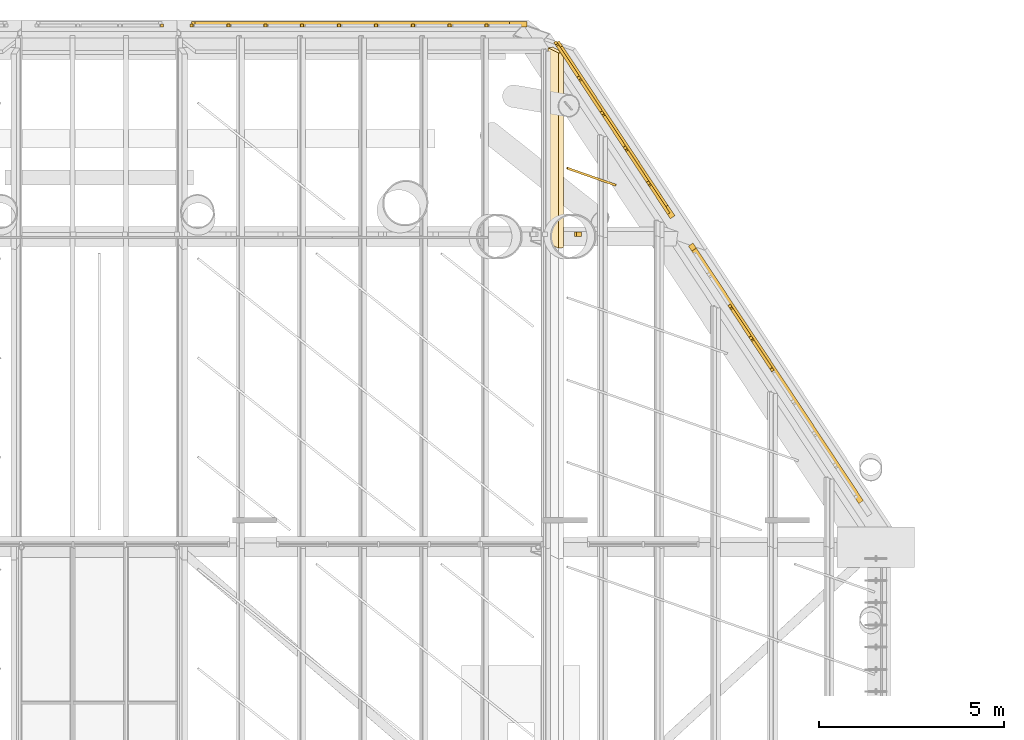
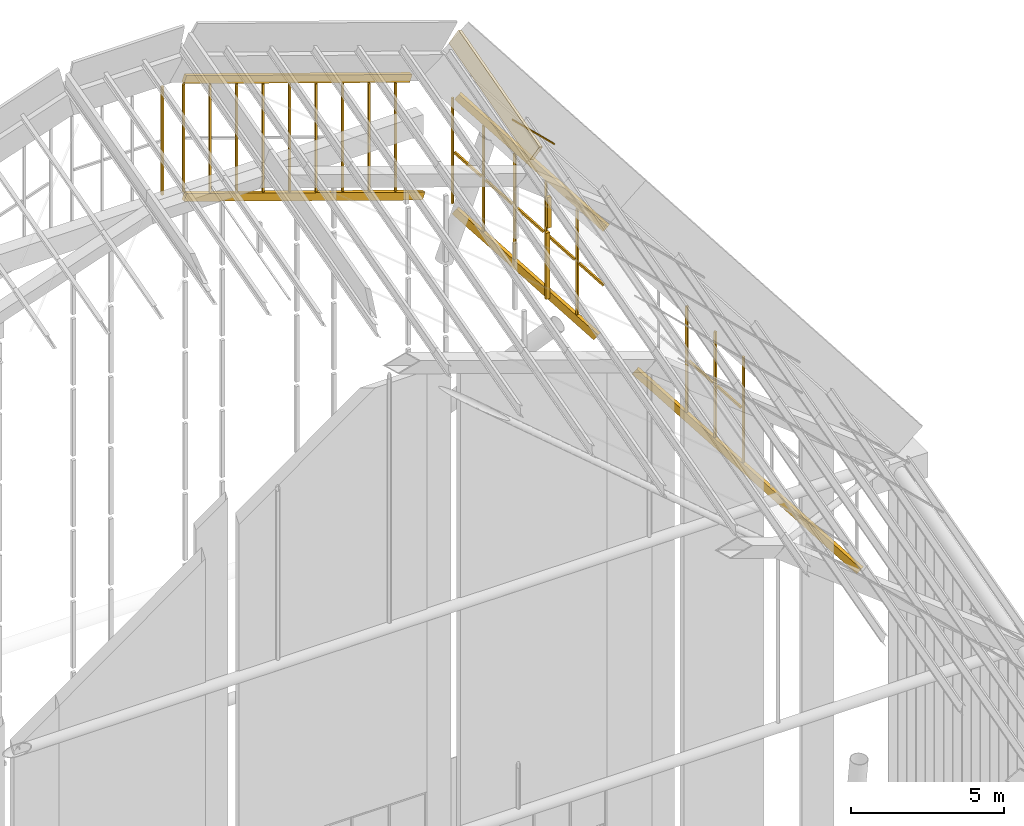
# One storey, part 121 of 126: 34 coverings.
"""IFC4 building model written with IfcOpenShell, lengths in metres."""

from ifc_helpers import new_model, si_unit, direction, frame, origin, origin_2d, place, context, subcontext, project, spatial, polyline, rectangle, outline, extrude, material, layer, layer_set, material_profile, profile_set, type_object, element, save


model = new_model("IFC4")

# Units and contexts
model_context = context("Model", 3, precision=1e-05, world=origin(), true_north=direction((0.0, 1.0)))
body_context = subcontext(model_context, "Body", "Model", "MODEL_VIEW")
ifc_project = project(units=[si_unit("LENGTHUNIT", "METRE"), si_unit("AREAUNIT", "SQUARE_METRE"), si_unit("VOLUMEUNIT", "CUBIC_METRE"), si_unit("PLANEANGLEUNIT", "RADIAN"), si_unit("MASSUNIT", "GRAM", prefix="KILO")], contexts=[model_context])

# Site, building, storey
site_placement = place(None, origin())
site = spatial("IfcSite", under=ifc_project, at=site_placement, CompositionType="ELEMENT")
building_placement = place(site_placement, origin())
building = spatial("IfcBuilding", under=site, at=building_placement, Name="Sava Quay Ferry Terminal", CompositionType="ELEMENT")
storey_placement = place(building_placement, frame((0.0, 0.0, 15.0)))
storey = spatial("IfcBuildingStorey", under=building, at=storey_placement, Name="L03", CompositionType="ELEMENT", Elevation=15.0)

# Coverings
ifc_material_1 = material(Name="Steel S355", Category="steel")
ifc_material_profile_1 = material_profile(ifc_material_1, rectangle(XDim=0.14990234375, YDim=0.60009765625, at=origin_2d()), Name="Cap 150 x 600")
ifc_profile_set_1 = profile_set([ifc_material_profile_1], Name="Steel S355")
covering_type_1 = type_object("IfcCoveringType", Name="Crease capping 150x600", PredefinedType="MOLDING", material=ifc_profile_set_1)
covering_1_placement = place(storey_placement, frame((75.3427734375, 108.96240234375, 25.925048828125), z_axis=(0.0, 0.964574190917, 0.263811732523), x_axis=(-0.885496565881, -0.122579045404, 0.44818546322)))
element("IfcCovering", 1, at=covering_1_placement, inside=storey, type_object=covering_type_1, Name="Departure hall crease capping bay 8 crease 4", PredefinedType="MOLDING", context=body_context, shape_type="SweptSolid", body=[
    extrude(rectangle(XDim=0.14990234375, YDim=0.60009765625, at=origin_2d()), origin(), (0.0, 0.0, 1.0), 5.473876953125),
])
ifc_material_2 = material(Name="Zinc standing seam sheet")
ifc_material_profile_2 = material_profile(ifc_material_2, rectangle(XDim=0.300048828125, YDim=0.14990234375, at=origin_2d()), Name="Strip 300 x 150")
ifc_profile_set_2 = profile_set([ifc_material_profile_2], Name="Zinc standing seam sheet")
covering_type_2 = type_object("IfcCoveringType", Name="Prow apron batten band 300 x 150", PredefinedType="CLADDING", material=ifc_profile_set_2)
covering_2_placement = place(storey_placement, frame((83.555419921875, 102.08837890625, 10.63623046875), z_axis=(-0.460677484719, 0.696307506766, 0.550392688083), x_axis=(0.303691127628, -0.459024846926, 0.8349059162)))
element("IfcCovering", 2, at=covering_2_placement, inside=storey, type_object=covering_type_2, Name="Prow apron batten band", PredefinedType="CLADDING", context=body_context, shape_type="SweptSolid", body=[
    extrude(rectangle(XDim=0.300048828125, YDim=0.14990234375, at=origin_2d()), origin(), (0.0, 0.0, 1.0), 9.8046875),
])
covering_3_placement = place(storey_placement, frame((78.2705078125, 110.076171875, 16.9501953125), z_axis=(-0.460642119145, 0.696328657324, 0.55039552965), x_axis=(0.303670062788, -0.459042189809, 0.834904042954)))
element("IfcCovering", 3, at=covering_3_placement, inside=storey, type_object=covering_type_2, Name="Prow apron batten band", PredefinedType="CLADDING", context=body_context, shape_type="SweptSolid", body=[
    extrude(rectangle(XDim=0.300048828125, YDim=0.14990234375, at=origin_2d()), origin(), (0.0, 0.0, 1.0), 6.188232421875),
])
covering_4_placement = place(storey_placement, frame((78.4599609375, 109.7900390625, 21.36474609375), z_axis=(-0.460666433072, 0.696320382631, 0.550385648589), x_axis=(0.303678270073, -0.459024912677, 0.834910556783)))
element("IfcCovering", 4, at=covering_4_placement, inside=storey, type_object=covering_type_2, Name="Prow apron batten band", PredefinedType="CLADDING", context=body_context, shape_type="SweptSolid", body=[
    extrude(rectangle(XDim=0.300048828125, YDim=0.14990234375, at=origin_2d()), origin(), (0.0, 0.0, 1.0), 6.49267578125),
])
covering_5_placement = place(storey_placement, frame((74.51904296875, 114.93994140625, 20.938720703125), z_axis=(-0.945520834598, 0.0, 0.325561593775), x_axis=(0.325561593775, 0.0, 0.945520834598)))
element("IfcCovering", 5, at=covering_5_placement, inside=storey, type_object=covering_type_2, Name="Prow apron batten band", PredefinedType="CLADDING", context=body_context, shape_type="SweptSolid", body=[
    extrude(rectangle(XDim=0.300048828125, YDim=0.14990234375, at=origin_2d()), origin(), (0.0, 0.0, 1.0), 9.487060546875),
])
covering_6_placement = place(storey_placement, frame((74.03955078125, 114.93994140625, 25.78662109375), z_axis=(-0.945527985423, 0.0, 0.325540825061), x_axis=(0.325540825061, 0.0, 0.945527985423)))
element("IfcCovering", 6, at=covering_6_placement, inside=storey, type_object=covering_type_2, Name="Prow apron batten band", PredefinedType="CLADDING", context=body_context, shape_type="SweptSolid", body=[
    extrude(rectangle(XDim=0.300048828125, YDim=0.14990234375, at=origin_2d()), origin(), (0.0, 0.0, 1.0), 8.982177734375),
])
ifc_material_3 = material(Name="Zinc standing seam sheet")
ifc_material_profile_3 = material_profile(ifc_material_3, rectangle(XDim=0.080078125, YDim=0.080078125, at=origin_2d()), Name="Strip 80 x 80")
ifc_profile_set_3 = profile_set([ifc_material_profile_3], Name="Zinc standing seam sheet")
covering_type_3 = type_object("IfcCoveringType", Name="Prow apron seam rib 80 x 80", PredefinedType="CLADDING", material=ifc_profile_set_3)
for number, where, z_axis, x_axis, name in (
    (7, (81.19140625, 105.597900390625, 13.645263671875), (0.0, 0.0, 1.0), (0.55177120658, -0.833995524922, 0.0), "Prow apron seam rib"),
    (8, (80.623046875, 106.45703125, 14.324462890625), (0.0, 0.0, 1.0), (0.55177120658, -0.833995524922, 0.0), "Prow apron seam rib"),
    (9, (80.054443359375, 107.31640625, 15.003662109375), (0.0, 0.0, 1.0), (0.55177120658, -0.833995524922, 0.0), "Prow apron seam rib"),
):
    element("IfcCovering", number, at=place(storey_placement, frame(where, z_axis=z_axis, x_axis=x_axis)), inside=storey, type_object=covering_type_3, Name=name, PredefinedType="CLADDING", context=body_context, shape_type="SweptSolid", body=[
        extrude(rectangle(XDim=0.080078125, YDim=0.080078125, at=origin_2d()), origin(), (0.0, 0.0, 1.0), 4.201416015625),
    ])
for number, where, z_axis, x_axis, name in (
    (10, (81.15283203125, 105.65625, 15.7919921875), (-0.460675627767, 0.696279614333, 0.550429527411), (0.303719065203, -0.459050535429, 0.834881629546), "Prow apron cross seam"),
    (11, (80.584228515625, 106.515380859375, 16.47119140625), (-0.460675627767, 0.696279614333, 0.550429527411), (0.303719065203, -0.459050535429, 0.834881629546), "Prow apron cross seam"),
):
    element("IfcCovering", number, at=place(storey_placement, frame(where, z_axis=z_axis, x_axis=x_axis)), inside=storey, type_object=covering_type_3, Name=name, PredefinedType="CLADDING", context=body_context, shape_type="SweptSolid", body=[
        extrude(rectangle(XDim=0.080078125, YDim=0.080078125, at=origin_2d()), origin(), (0.0, 0.0, 1.0), 1.066162109375),
    ])
for number, where, z_axis, x_axis, name in (
    (12, (77.85009765625, 110.6484375, 17.637451171875), (0.0, 0.0, 1.0), (0.551746967429, -0.834011561031, 0.0), "Prow apron seam rib"),
    (13, (77.223876953125, 111.594970703125, 18.3857421875), (0.0, 0.0, 1.0), (0.551746967429, -0.834011561031, 0.0), "Prow apron seam rib"),
    (14, (76.59765625, 112.54150390625, 19.1337890625), (0.0, 0.0, 1.0), (0.551746967429, -0.834011561031, 0.0), "Prow apron seam rib"),
    (15, (75.97119140625, 113.48828125, 19.882080078125), (0.0, 0.0, 1.0), (0.551746967429, -0.834011561031, 0.0), "Prow apron seam rib"),
):
    element("IfcCovering", number, at=place(storey_placement, frame(where, z_axis=z_axis, x_axis=x_axis)), inside=storey, type_object=covering_type_3, Name=name, PredefinedType="CLADDING", context=body_context, shape_type="SweptSolid", body=[
        extrude(rectangle(XDim=0.080078125, YDim=0.080078125, at=origin_2d()), origin(), (0.0, 0.0, 1.0), 4.201416015625),
    ])
covering_7_placement = place(storey_placement, frame((75.34521484375, 114.434814453125, 20.63037109375), z_axis=(0.0, 0.0, 1.0), x_axis=(0.551746967429, -0.834011561031, 0.0)))
element("IfcCovering", 16, at=covering_7_placement, inside=storey, type_object=covering_type_3, Name="Prow apron seam rib", PredefinedType="CLADDING", context=body_context, shape_type="SweptSolid", body=[
    extrude(rectangle(XDim=0.080078125, YDim=0.080078125, at=origin_2d()), origin(), (0.0, 0.0, 1.0), 4.201171875),
])
covering_8_placement = place(storey_placement, frame((78.3876953125, 109.835693359375, 19.095703125), z_axis=(-0.460643185119, 0.696373503922, 0.550337895333), x_axis=(0.303625150639, -0.459002796221, 0.834942034492)))
element("IfcCovering", 17, at=covering_8_placement, inside=storey, type_object=covering_type_3, Name="Prow apron cross seam", PredefinedType="CLADDING", context=body_context, shape_type="SweptSolid", body=[
    extrude(rectangle(XDim=0.080078125, YDim=0.080078125, at=origin_2d()), origin(), (0.0, 0.0, 1.0), 1.083251953125),
])
covering_9_placement = place(storey_placement, frame((77.811279296875, 110.706787109375, 19.7841796875), z_axis=(-0.460537072026, 0.69633696967, 0.550472914829), x_axis=(0.3036620548, -0.459140268801, 0.834853023017)))
element("IfcCovering", 18, at=covering_9_placement, inside=storey, type_object=covering_type_3, Name="Prow apron cross seam", PredefinedType="CLADDING", context=body_context, shape_type="SweptSolid", body=[
    extrude(rectangle(XDim=0.080078125, YDim=0.080078125, at=origin_2d()), origin(), (0.0, 0.0, 1.0), 1.191650390625),
])
covering_10_placement = place(storey_placement, frame((77.185302734375, 111.6533203125, 20.532470703125), z_axis=(-0.460698463658, 0.696271266329, 0.550420974589), x_axis=(0.303727349779, -0.459034798532, 0.834887268278)))
element("IfcCovering", 19, at=covering_10_placement, inside=storey, type_object=covering_type_3, Name="Prow apron cross seam", PredefinedType="CLADDING", context=body_context, shape_type="SweptSolid", body=[
    extrude(rectangle(XDim=0.080078125, YDim=0.080078125, at=origin_2d()), origin(), (0.0, 0.0, 1.0), 1.19189453125),
])
covering_11_placement = place(storey_placement, frame((76.558837890625, 112.60009765625, 21.28076171875), z_axis=(-0.460654731842, 0.696309954982, 0.550408634221), x_axis=(0.303688750268, -0.459045539773, 0.834895403853)))
element("IfcCovering", 20, at=covering_11_placement, inside=storey, type_object=covering_type_3, Name="Prow apron cross seam", PredefinedType="CLADDING", context=body_context, shape_type="SweptSolid", body=[
    extrude(rectangle(XDim=0.080078125, YDim=0.080078125, at=origin_2d()), origin(), (0.0, 0.0, 1.0), 1.19140625),
])
covering_12_placement = place(storey_placement, frame((75.9326171875, 113.546630859375, 22.02880859375), z_axis=(-0.460537072026, 0.69633696967, 0.550472914829), x_axis=(0.3036620548, -0.459140268801, 0.834853023017)))
element("IfcCovering", 21, at=covering_12_placement, inside=storey, type_object=covering_type_3, Name="Prow apron cross seam", PredefinedType="CLADDING", context=body_context, shape_type="SweptSolid", body=[
    extrude(rectangle(XDim=0.080078125, YDim=0.080078125, at=origin_2d()), origin(), (0.0, 0.0, 1.0), 1.191650390625),
])
covering_13_placement = place(storey_placement, frame((64.7001953125, 114.905029296875, 24.407958984375), z_axis=(0.0, 0.0, 1.0), x_axis=(1.0, 0.0, 0.0)))
element("IfcCovering", 22, at=covering_13_placement, inside=storey, type_object=covering_type_3, Name="Prow apron seam rib", PredefinedType="CLADDING", context=body_context, shape_type="SweptSolid", body=[
    extrude(rectangle(XDim=0.080078125, YDim=0.080078125, at=origin_2d()), origin(), (0.0, 0.0, 1.0), 4.31982421875),
])
for number, where, z_axis, x_axis, name in (
    (23, (73.473388671875, 114.905029296875, 21.497314453125), (0.0, 0.0, 1.0), (1.0, 0.0, 0.0), "Prow apron seam rib"),
    (24, (72.476806640625, 114.905029296875, 21.840576171875), (0.0, 0.0, 1.0), (1.0, 0.0, 0.0), "Prow apron seam rib"),
    (25, (71.47998046875, 114.905029296875, 22.18359375), (0.0, 0.0, 1.0), (1.0, 0.0, 0.0), "Prow apron seam rib"),
    (26, (70.4833984375, 114.905029296875, 22.52685546875), (0.0, 0.0, 1.0), (1.0, 0.0, 0.0), "Prow apron seam rib"),
    (27, (69.48681640625, 114.905029296875, 22.8701171875), (0.0, 0.0, 1.0), (1.0, 0.0, 0.0), "Prow apron seam rib"),
):
    element("IfcCovering", number, at=place(storey_placement, frame(where, z_axis=z_axis, x_axis=x_axis)), inside=storey, type_object=covering_type_3, Name=name, PredefinedType="CLADDING", context=body_context, shape_type="SweptSolid", body=[
        extrude(rectangle(XDim=0.080078125, YDim=0.080078125, at=origin_2d()), origin(), (0.0, 0.0, 1.0), 4.285400390625),
    ])
covering_14_placement = place(storey_placement, frame((68.489990234375, 114.905029296875, 23.213134765625), z_axis=(0.0, 0.0, 1.0), x_axis=(1.0, 0.0, 0.0)))
element("IfcCovering", 28, at=covering_14_placement, inside=storey, type_object=covering_type_3, Name="Prow apron seam rib", PredefinedType="CLADDING", context=body_context, shape_type="SweptSolid", body=[
    extrude(rectangle(XDim=0.080078125, YDim=0.080078125, at=origin_2d()), origin(), (0.0, 0.0, 1.0), 4.28564453125),
])
for number, where, z_axis, x_axis, name in (
    (29, (67.493408203125, 114.905029296875, 23.556396484375), (0.0, 0.0, 1.0), (1.0, 0.0, 0.0), "Prow apron seam rib"),
    (30, (66.496826171875, 114.905029296875, 23.899658203125), (0.0, 0.0, 1.0), (1.0, 0.0, 0.0), "Prow apron seam rib"),
    (31, (65.5, 114.905029296875, 24.242919921875), (0.0, 0.0, 1.0), (1.0, 0.0, 0.0), "Prow apron seam rib"),
):
    element("IfcCovering", number, at=place(storey_placement, frame(where, z_axis=z_axis, x_axis=x_axis)), inside=storey, type_object=covering_type_3, Name=name, PredefinedType="CLADDING", context=body_context, shape_type="SweptSolid", body=[
        extrude(rectangle(XDim=0.080078125, YDim=0.080078125, at=origin_2d()), origin(), (0.0, 0.0, 1.0), 4.285400390625),
    ])
ifc_material_4 = material(Name="Steel S355", Category="steel")
ifc_material_profile_4 = material_profile(ifc_material_4, rectangle(XDim=0.139892578125, YDim=0.1201171875, at=origin_2d()), Name="Strip 140 x 120")
ifc_profile_set_4 = profile_set([ifc_material_profile_4], Name="Steel S355")
covering_type_4 = type_object("IfcCoveringType", Name="Prow glazing bar 140 x 120", PredefinedType="CLADDING", material=ifc_profile_set_4)
covering_15_placement = place(storey_placement, frame((75.91943359375, 109.260009765625, 19.790283203125), z_axis=(0.0, 0.0, 1.0), x_axis=(1.0, 0.0, 0.0)))
element("IfcCovering", 32, at=covering_15_placement, inside=storey, type_object=covering_type_4, Name="Prow glazing bar", PredefinedType="CLADDING", context=body_context, shape_type="SweptSolid", body=[
    extrude(rectangle(XDim=0.139892578125, YDim=0.1201171875, at=origin_2d()), origin(), (0.0, 0.0, 1.0), 2.633056640625),
])
covering_16_placement = place(storey_placement, frame((75.97265625, 109.260009765625, 22.603515625), z_axis=(0.0, 0.0, 1.0), x_axis=(1.0, 0.0, 0.0)))
element("IfcCovering", 33, at=covering_16_placement, inside=storey, type_object=covering_type_4, Name="Prow glazing bar", PredefinedType="CLADDING", context=body_context, shape_type="SweptSolid", body=[
    extrude(rectangle(XDim=0.139892578125, YDim=0.1201171875, at=origin_2d()), origin(), (0.0, 0.0, 1.0), 1.22119140625),
])
ifc_material_5 = material(Name="Zinc standing seam")
ifc_layer = layer(ifc_material_5, 0.0400390625)
ifc_layer_set = layer_set([ifc_layer], Name="Zinc standing seam")
covering_type_5 = type_object("IfcCoveringType", Name="Roof seam rib 60", PredefinedType="ROOFING", material=ifc_layer_set)
covering_17_placement = place(storey_placement, frame((76.964111328125, 110.55810546875, 24.76513671875), z_axis=(0.601862368188, -0.21058683293, 0.770334262224), x_axis=(-0.727109635041, 0.254413942605, 0.637640278243)))
element("IfcCovering", 34, at=covering_17_placement, inside=storey, type_object=covering_type_5, Name="Roof seam rib", PredefinedType="ROOFING", context=body_context, shape_type="SweptSolid", body=[
    extrude(outline(polyline([(0.0, 0.0), (1.8041062676408894, 1.1671436386806455e-16), (1.8041375552986252, -0.059993539944108935), (-3.082512122037223e-05, -0.059763098256564916), (0.0, 0.0)])), origin(), (0.0, 0.0, -1.0), 0.0400390625),
])

save(model, "model.ifc")
